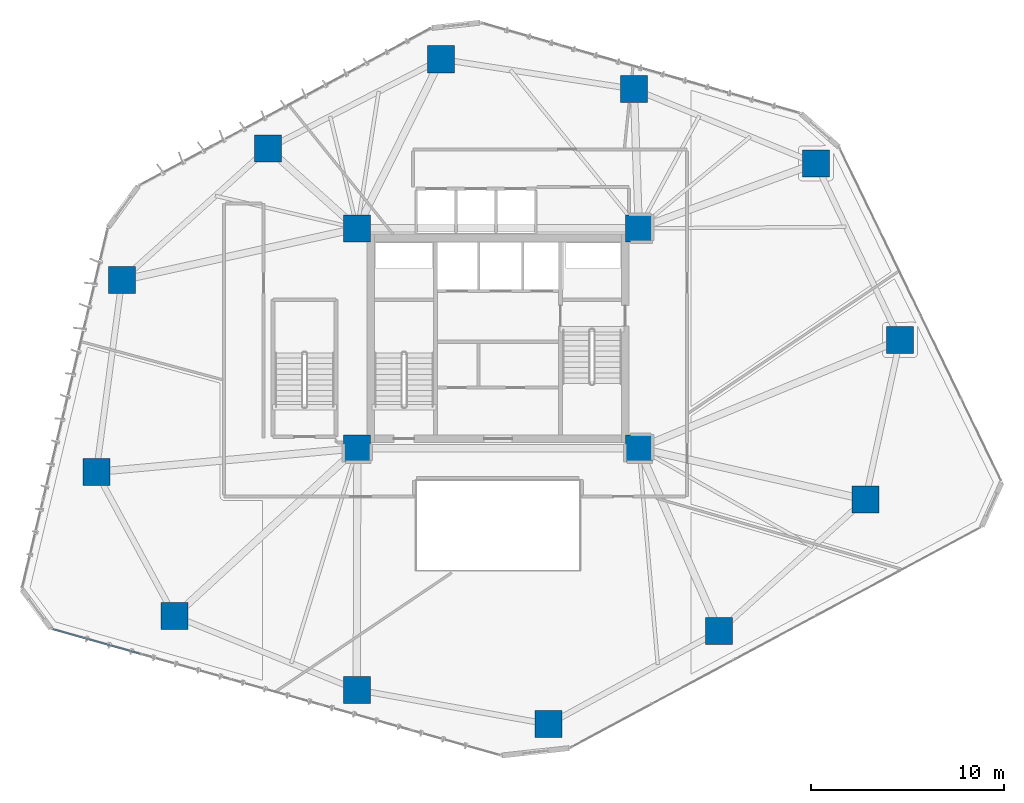
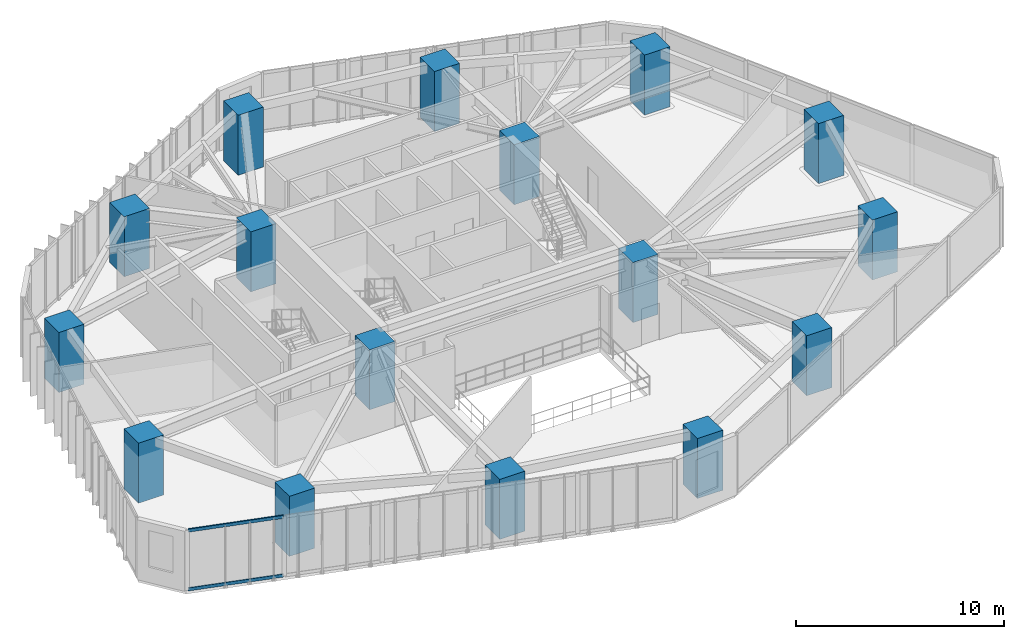
# One storey, part 1 of 24: 16 columns, 2 members, 1 element without a shape of its own.
"""IFC4 building model written with IfcOpenShell, lengths in metres."""

from ifc_helpers import new_model, si_unit, direction, frame, origin, origin_2d, place, context, subcontext, project, spatial, rectangle, hollow_rectangle, extrude, source, transform, mapped, material, layer, layer_set, material_profile, profile_set, type_object, type_shapes, element, aggregate, save


model = new_model("IFC4")

# Units and contexts
model_context = context("Model", 3, precision=1e-05, world=origin(), true_north=direction((0.0, 1.0)))
body_context = subcontext(model_context, "Body", "Model", "MODEL_VIEW")
ifc_project = project(units=[si_unit("LENGTHUNIT", "METRE"), si_unit("AREAUNIT", "SQUARE_METRE"), si_unit("VOLUMEUNIT", "CUBIC_METRE"), si_unit("PLANEANGLEUNIT", "RADIAN"), si_unit("MASSUNIT", "GRAM", prefix="KILO")], contexts=[model_context])

# Site, building, storey
site_placement = place(None, origin())
site = spatial("IfcSite", under=ifc_project, at=site_placement, CompositionType="ELEMENT")
building_placement = place(site_placement, origin())
building = spatial("IfcBuilding", under=site, at=building_placement, Name="Talar Marvaseh", CompositionType="ELEMENT")
storey_placement = place(building_placement, frame((0.0, 0.0, 43.0)))
storey = spatial("IfcBuildingStorey", under=building, at=storey_placement, Name="L10", CompositionType="ELEMENT", Elevation=43.0)

# Columns
ifc_material_1 = material(Name="Concrete C70/85", Category="concrete")
ifc_material_profile_1 = material_profile(ifc_material_1, rectangle(XDim=1.39990234375, YDim=1.39990234375, at=origin_2d()), Name="RC1400x1400")
ifc_profile_set_1 = profile_set([ifc_material_profile_1], Name="Concrete C70/85")
column_type = type_object("IfcColumnType", Name="Zone 1 Tube Column RC1400x1400", PredefinedType="COLUMN", material=ifc_profile_set_1)
for number, where, z_axis, x_axis, name in (
    (1, (42.47705078125, 40.26904296875, 0.0), (0.0, 0.0, 1.0), (1.0, 0.0, 0.0), "L10 Zone 1 Tube Column RC1400x1400"),
    (2, (46.841064453125, 31.118896484375, 0.0), (0.0, 0.0, 1.0), (1.0, 0.0, 0.0), "L10 Zone 1 Tube Column RC1400x1400"),
    (3, (45.0439453125, 22.840087890625, 0.0), (0.0, 0.0, 1.0), (1.0, 0.0, 0.0), "L10 Zone 1 Tube Column RC1400x1400"),
    (4, (37.468017578125, 16.02099609375, 0.0), (0.0, 0.0, 1.0), (1.0, 0.0, 0.0), "L10 Zone 1 Tube Column RC1400x1400"),
    (5, (28.625, 11.195068359375, 0.0), (0.0, 0.0, 1.0), (1.0, 0.0, 0.0), "L10 Zone 1 Tube Column RC1400x1400"),
    (6, (18.68310546875, 12.97900390625, 0.0), (0.0, 0.0, 1.0), (1.0, 0.0, 0.0), "L10 Zone 1 Tube Column RC1400x1400"),
    (7, (9.23193359375, 16.7958984375, 0.0), (0.0, 0.0, 1.0), (1.0, 0.0, 0.0), "L10 Zone 1 Tube Column RC1400x1400"),
    (8, (5.175048828125, 24.27587890625, 0.0), (0.0, 0.0, 1.0), (1.0, 0.0, 0.0), "L10 Zone 1 Tube Column RC1400x1400"),
    (9, (6.501953125, 34.214111328125, 0.0), (0.0, 0.0, 1.0), (1.0, 0.0, 0.0), "L10 Zone 1 Tube Column RC1400x1400"),
    (10, (14.069091796875, 41.04296875, 0.0), (0.0, 0.0, 1.0), (1.0, 0.0, 0.0), "L10 Zone 1 Tube Column RC1400x1400"),
    (11, (23.047119140625, 45.6669921875, 0.0), (0.0, 0.0, 1.0), (1.0, 0.0, 0.0), "L10 Zone 1 Tube Column RC1400x1400"),
    (12, (33.0458984375, 44.117919921875, 0.0), (0.0, 0.0, 1.0), (1.0, 0.0, 0.0), "L10 Zone 1 Tube Column RC1400x1400"),
    (13, (18.699951171875, 25.5, 0.0), (0.0, 0.0, 1.0), (1.0, 0.0, 0.0), "L10 Zone 1 Tube Column RC1400x1400"),
    (14, (33.300048828125, 25.5, 0.0), (0.0, 0.0, 1.0), (1.0, 0.0, 0.0), "L10 Zone 1 Tube Column RC1400x1400"),
    (15, (33.300048828125, 36.89990234375, 0.0), (0.0, 0.0, 1.0), (1.0, 0.0, 0.0), "L10 Zone 1 Tube Column RC1400x1400"),
    (16, (18.699951171875, 36.89990234375, 0.0), (0.0, 0.0, 1.0), (1.0, 0.0, 0.0), "L10 Zone 1 Tube Column RC1400x1400"),
):
    element("IfcColumn", number, at=place(storey_placement, frame(where, z_axis=z_axis, x_axis=x_axis)), inside=storey, type_object=column_type, Name=name, PredefinedType="COLUMN", context=body_context, shape_type="SweptSolid", body=[
        extrude(rectangle(XDim=1.39990234375, YDim=1.39990234375, at=origin_2d()), origin(), (0.0, 0.0, 1.0), 3.52001953125),
    ])

# Curtain wall, members
ifc_material_2 = material(Name="Architectural Aluminium", Category="aluminium")
ifc_layer = layer(ifc_material_2, 0.219970703125)
ifc_layer_set = layer_set([ifc_layer], Name="Architectural Aluminium")
curtain_wall_type = type_object("IfcCurtainWallType", Name="Unitised Low-E Museum Curtain Wall Z1", PredefinedType="NOTDEFINED", material=ifc_layer_set)
curtain_wall_placement = place(storey_placement, origin())
curtain_wall = element("IfcCurtainWall", 17, at=curtain_wall_placement, inside=storey, type_object=curtain_wall_type, Name="L10 Unitised Low-E Museum Curtain Wall Z1", PredefinedType="NOTDEFINED")
ifc_material_profile_2 = material_profile(ifc_material_2, hollow_rectangle(XDim=0.074951171875, YDim=0.179931640625, WallThickness=0.0048828125, at=origin_2d()), Name="RHS180x75x5")
ifc_profile_set_2 = profile_set([ifc_material_profile_2], Name="Architectural Aluminium")
member_type = type_object("IfcMemberType", Name="Unitised Curtain Wall Transom RHS180x75x5", PredefinedType="USERDEFINED", material=ifc_profile_set_2)
shared_shape = source(origin(), body_context, "Body", "SweptSolid", [
    extrude(hollow_rectangle(XDim=0.074951171875, YDim=0.179931640625, WallThickness=0.0048828125, at=origin_2d()), origin(), (0.0, 0.0, 1.0), 4.725341796875),
])
type_shapes(member_type, [shared_shape])
member_1_placement = place(storey_placement, frame((7.469482421875, 14.83837890625, 0.03759765625), z_axis=(-0.962494658533, 0.271300630842, 0.0), x_axis=(-0.271300630842, -0.962494658533, 0.0)))
member_1 = element("IfcMember", 18, at=member_1_placement, type_object=member_type, Name="CW-Z1 transom 5.1", ObjectType="TRANSOM", PredefinedType="USERDEFINED", context=body_context, shape_type="MappedRepresentation", body=[
    mapped(shared_shape, transform((0.0, 0.0, 0.0), x_axis=(1.0, 0.0, 0.0), y_axis=(0.0, 1.0, 0.0), z_axis=(0.0, 0.0, 1.0), scale=1.0)),
])
member_2_placement = place(storey_placement, frame((7.469482421875, 14.83837890625, 3.482421875), z_axis=(-0.962494658533, 0.271300630842, 0.0), x_axis=(-0.271300630842, -0.962494658533, 0.0)))
member_2 = element("IfcMember", 19, at=member_2_placement, type_object=member_type, Name="CW-Z1 transom 5.2", ObjectType="TRANSOM", PredefinedType="USERDEFINED", context=body_context, shape_type="MappedRepresentation", body=[
    mapped(shared_shape, transform((0.0, 0.0, 0.0), x_axis=(1.0, 0.0, 0.0), y_axis=(0.0, 1.0, 0.0), z_axis=(0.0, 0.0, 1.0), scale=1.0)),
])
aggregate(curtain_wall, [member_1, member_2])

save(model, "model.ifc")
